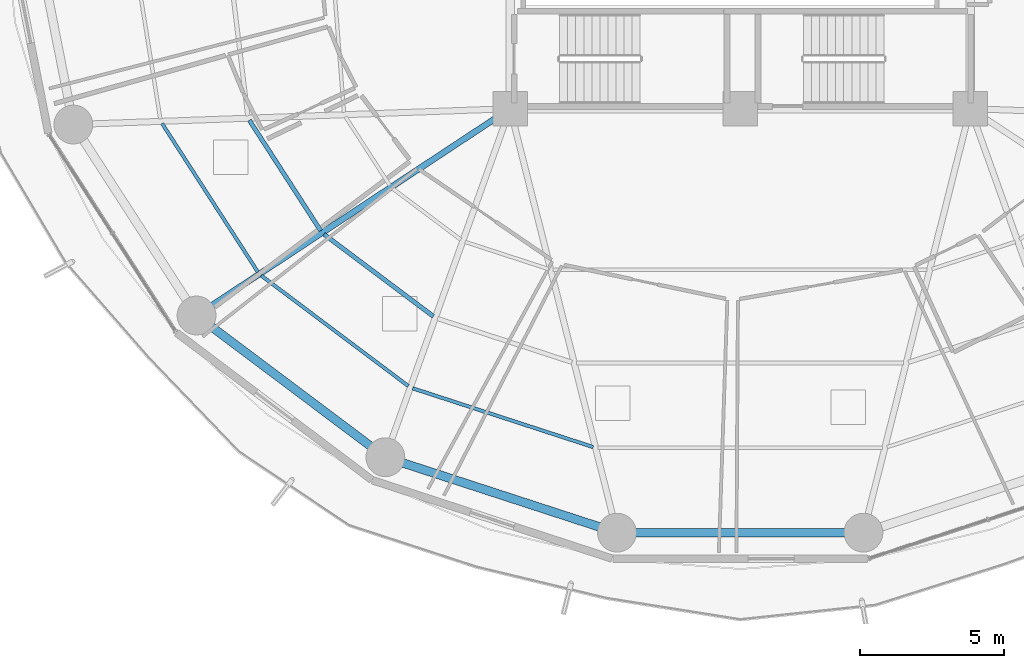
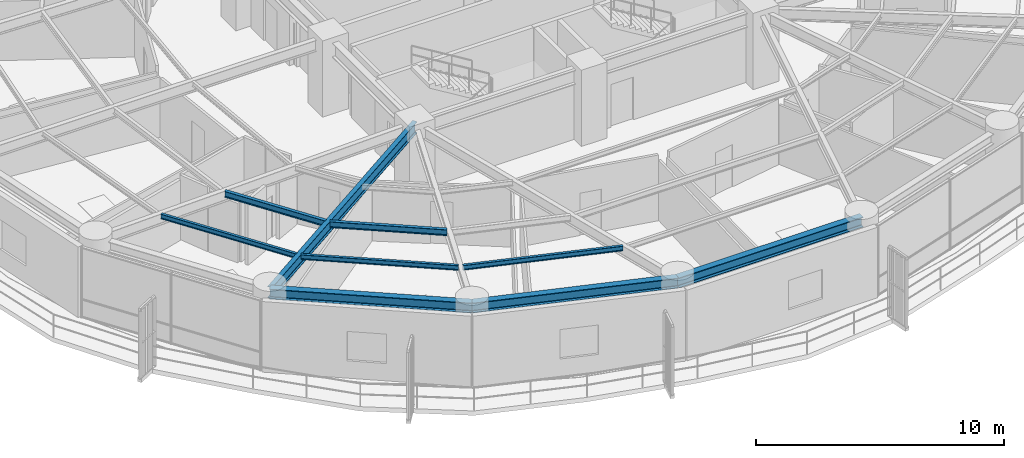
# One storey, part 3 of 36: 9 beams.
"""IFC4 building model written with IfcOpenShell, lengths in metres."""

import ifcopenshell
import ifcopenshell.guid

model = None  # the IFC model being written
_history = None  # IfcOwnerHistory: only IFC2X3 demands one
_inside = {}  # id of a spatial element -> (the spatial element, [elements in it])
_under = {}  # id of a project, library or spatial element -> (it, [spatial elements below it])
_declared = {}  # id of a project -> (the project, [libraries it declares])
_typed = {}  # id of a type object -> (the type object, [elements of that type])
_made_of = {}  # id of a material, layer set ... -> (it, [elements and type objects made of it])


def new_model(schema):
    """Start an empty IFC model of exactly this schema.

    Asked for "IFC4X3", IfcOpenShell would pick the latest addendum, in which some entities
    have other attributes; the version numbers below select the first issue.
    IFC2X3 requires an IfcOwnerHistory on every rooted entity: one is made here for all.
    """
    global model, _history
    if schema == "IFC4X3":
        model = ifcopenshell.file(schema_version=(4, 3, 0, 0))
    else:
        model = ifcopenshell.file(schema=schema)
    _inside.clear()
    _under.clear()
    _declared.clear()
    _typed.clear()
    _made_of.clear()
    _history = None
    if model.schema == "IFC2X3":
        org = make("IfcOrganization", Name="unknown")
        user = make(
            "IfcPersonAndOrganization",
            ThePerson=make("IfcPerson", FamilyName="unknown"),
            TheOrganization=org,
        )
        app = make(
            "IfcApplication",
            ApplicationDeveloper=org,
            Version="unknown",
            ApplicationFullName="unknown",
            ApplicationIdentifier="unknown",
        )
        _history = make(
            "IfcOwnerHistory",
            OwningUser=user,
            OwningApplication=app,
            ChangeAction="ADDED",
            CreationDate=0,
        )
    return model


def make(cls, **values):
    """One entity of the class cls with the attributes given. An attribute that is None is left unset."""
    return model.create_entity(
        cls, **{name: value for name, value in values.items() if value is not None}
    )


def rooted(cls, **values):
    """An entity with a GlobalId (a new one), such as an element, a storey or a relation."""
    return make(cls, GlobalId=ifcopenshell.guid.new(), OwnerHistory=_history, **values)


def si_unit(unit_type, name, prefix=None):
    """IfcSIUnit, for example si_unit("LENGTHUNIT", "METRE", prefix="MILLI")."""
    return make("IfcSIUnit", UnitType=unit_type, Prefix=prefix, Name=name)


def assignment(units):
    """IfcUnitAssignment: the units of a project."""
    return None if units is None else make("IfcUnitAssignment", Units=units)


def point(xyz):
    """IfcCartesianPoint."""
    return None if xyz is None else make("IfcCartesianPoint", Coordinates=xyz)


def direction(xyz):
    """IfcDirection."""
    return None if xyz is None else make("IfcDirection", DirectionRatios=xyz)


def frame(location, z_axis=None, x_axis=None):
    """IfcAxis2Placement3D, a coordinate frame: its origin and axes. An axis left out is left unset."""
    return make(
        "IfcAxis2Placement3D",
        Location=point(location),
        Axis=direction(z_axis),
        RefDirection=direction(x_axis),
    )


def frame_2d(location, x_axis=None):
    """IfcAxis2Placement2D, a coordinate frame in the plane: its origin and x axis."""
    return make(
        "IfcAxis2Placement2D", Location=point(location), RefDirection=direction(x_axis)
    )


def origin():
    """The frame at (0, 0, 0) with its axes left unset."""
    return frame((0.0, 0.0, 0.0))


def origin_2d():
    """The frame at (0, 0) in the plane with its x axis left unset."""
    return frame_2d((0.0, 0.0))


def place(relative_to, where):
    """IfcLocalPlacement: puts the frame where relative to a parent placement (None: the world)."""
    return make(
        "IfcLocalPlacement", PlacementRelTo=relative_to, RelativePlacement=where
    )


def context(
    kind, dimensions, precision=None, world=None, true_north=None, identifier=None
):
    """IfcGeometricRepresentationContext, for example the 3D "Model" context."""
    return make(
        "IfcGeometricRepresentationContext",
        ContextIdentifier=identifier,
        ContextType=kind,
        CoordinateSpaceDimension=dimensions,
        Precision=precision,
        WorldCoordinateSystem=world,
        TrueNorth=true_north,
    )


def subcontext(parent, identifier, kind, view, scale=None):
    """IfcGeometricRepresentationSubContext, for example "Body" below "Model"."""
    return make(
        "IfcGeometricRepresentationSubContext",
        ContextIdentifier=identifier,
        ContextType=kind,
        ParentContext=parent,
        TargetScale=scale,
        TargetView=view,
    )


def project(units=None, contexts=None):
    """IfcProject with its units and contexts."""
    return rooted(
        "IfcProject",
        Name="project",
        RepresentationContexts=contexts,
        UnitsInContext=assignment(units),
    )


def spatial(cls, under=None, at=None, **own):
    """A site, building, storey or space (cls), placed at a placement, below another one or the project."""
    s = rooted(cls, ObjectPlacement=at, **own)
    if under is not None:
        _under.setdefault(under.id(), (under, []))[1].append(s)
    return s


def profile(cls, at=None, kind="AREA", **sizes):
    """A parametric profile (cls). Its sizes go by their IFC names, for example OverallWidth=200.0."""
    return make(cls, ProfileType=kind, Position=at, **sizes)


def i_section(**sizes):
    """IfcIShapeProfileDef."""
    return profile("IfcIShapeProfileDef", **sizes)


def extrude(swept, where, along, depth):
    """IfcExtrudedAreaSolid: the profile swept, set in the frame where, extruded along a direction by depth."""
    return make(
        "IfcExtrudedAreaSolid",
        SweptArea=swept,
        Position=where,
        ExtrudedDirection=direction(along),
        Depth=depth,
    )


def shape(context_of_items, identifier, shape_type, items):
    """IfcShapeRepresentation: the items that make up one representation, for example the "Body"."""
    return make(
        "IfcShapeRepresentation",
        ContextOfItems=context_of_items,
        RepresentationIdentifier=identifier,
        RepresentationType=shape_type,
        Items=items,
    )


def material(Name=None, Category=None):
    """IfcMaterial."""
    return make("IfcMaterial", Name=Name, Category=Category)


def material_profile(
    of_material, cross_section, Name=None, Category=None, Priority=None
):
    """IfcMaterialProfile: a cross section and its material."""
    return make(
        "IfcMaterialProfile",
        Name=Name,
        Material=of_material,
        Profile=cross_section,
        Priority=Priority,
        Category=Category,
    )


def profile_set(profiles, Name=None, composite=None):
    """IfcMaterialProfileSet."""
    return make(
        "IfcMaterialProfileSet",
        Name=Name,
        MaterialProfiles=profiles,
        CompositeProfile=composite,
    )


def made_of(thing, what):
    """Note that an element or type object is made of a material, layer set ...; save() writes the relation."""
    if what is not None:
        _made_of.setdefault(what.id(), (what, []))[1].append(thing)
    return thing


def type_object(cls, material=None, **own):
    """A type object (cls), such as IfcWallType, which elements share."""
    return made_of(rooted(cls, **own), material)


def element(
    cls,
    number,
    at=None,
    inside=None,
    cuts=None,
    type_object=None,
    material=None,
    context=None,
    identifier="Body",
    shape_type=None,
    held_by="IfcProductDefinitionShape",
    body=None,
    shapes=None,
    **own,
):
    """One element of the class cls, such as IfcWall. Its Tag is "e" and its number.

    at: its placement. inside: the storey or other place that contains it. cuts: it is an
    opening in that element (IfcRelVoidsElement). A single representation is given by context,
    identifier, shape_type and body (its items); several are given by shapes. held_by: the class
    of the entity that holds the representations. save() writes the other relations.
    """
    e = rooted(cls, Tag="e%d" % number, ObjectPlacement=at, **own)
    if body is not None:
        shapes = [shape(context, identifier, shape_type, body)]
    if shapes is not None:
        e.Representation = make(held_by, Representations=shapes)
    if inside is not None:
        _inside.setdefault(inside.id(), (inside, []))[1].append(e)
    if cuts is not None:
        rooted(
            "IfcRelVoidsElement", RelatingBuildingElement=cuts, RelatedOpeningElement=e
        )
    if type_object is not None:
        _typed.setdefault(type_object.id(), (type_object, []))[1].append(e)
    return made_of(e, material)


def aggregate(whole, parts):
    """IfcRelAggregates: a whole, such as a stair, and the parts it consists of."""
    return rooted("IfcRelAggregates", RelatingObject=whole, RelatedObjects=parts)


def save(model, path):
    """Write the relations noted so far, then the file.

    IfcRelAggregates (storeys below a building ...), IfcRelContainedInSpatialStructure (elements
    in a storey), IfcRelDefinesByType, IfcRelAssociatesMaterial and IfcRelDeclares: one each for
    every whole, place, type object, material and project.
    """
    for whole, parts in _under.values():
        aggregate(whole, parts)
    for where, things in _inside.values():
        rooted(
            "IfcRelContainedInSpatialStructure",
            RelatedElements=things,
            RelatingStructure=where,
        )
    for kind, things in _typed.values():
        rooted("IfcRelDefinesByType", RelatedObjects=things, RelatingType=kind)
    for what, things in _made_of.values():
        rooted("IfcRelAssociatesMaterial", RelatedObjects=things, RelatingMaterial=what)
    for by, libraries in _declared.values():
        rooted("IfcRelDeclares", RelatingContext=by, RelatedDefinitions=libraries)
    model.write(path)


model = new_model("IFC4")

# Units and contexts
model_context = context("Model", 3, precision=1e-05, world=origin(), true_north=direction((0.0, 1.0)))
body_context = subcontext(model_context, "Body", "Model", "MODEL_VIEW")
ifc_project = project(units=[si_unit("LENGTHUNIT", "METRE"), si_unit("AREAUNIT", "SQUARE_METRE"), si_unit("VOLUMEUNIT", "CUBIC_METRE"), si_unit("PLANEANGLEUNIT", "RADIAN"), si_unit("MASSUNIT", "GRAM", prefix="KILO")], contexts=[model_context])

# Site, building, storey
site_placement = place(None, origin())
site = spatial("IfcSite", under=ifc_project, at=site_placement, CompositionType="ELEMENT")
building_placement = place(site_placement, origin())
building = spatial("IfcBuilding", under=site, at=building_placement, Name="Kelanora Arch Commons", CompositionType="ELEMENT")
storey_placement = place(building_placement, frame((0.0, 0.0, 102.60009765625)))
storey = spatial("IfcBuildingStorey", under=building, at=storey_placement, Name="L26", CompositionType="ELEMENT", Elevation=102.60009765625)

# Beams
ifc_material = material(Name="Steel S355", Category="steel")
ifc_material_profile_1 = material_profile(ifc_material, i_section(OverallWidth=0.14990234375, OverallDepth=0.300048828125, WebThickness=0.007080078125, FlangeThickness=0.0107421875, FilletRadius=0.014892578125, at=origin_2d()), Name="IPE300")
ifc_profile_set_1 = profile_set([ifc_material_profile_1], Name="Steel S355")
beam_type_1 = type_object("IfcBeamType", Name="BM-JST-01", PredefinedType="JOIST", material=ifc_profile_set_1)
beam_1_placement = place(storey_placement, frame((56.93115234375, 50.597412109375, 3.33984375), z_axis=(0.542230243286, -0.840229946661, 0.0), x_axis=(0.840229946661, 0.542230243286, 0.0)))
element("IfcBeam", 1, at=beam_1_placement, inside=storey, type_object=beam_type_1, Name="Secondary Chord Joist BJB-20 L26", PredefinedType="JOIST", context=body_context, shape_type="SweptSolid", body=[
    extrude(i_section(OverallWidth=0.14990234375, OverallDepth=0.300048828125, WebThickness=0.007080078125, FlangeThickness=0.0107421875, FilletRadius=0.014892578125, at=origin_2d()), origin(), (0.0, 0.0, 1.0), 4.572265625),
])
beam_2_placement = place(storey_placement, frame((59.5244140625, 46.63330078125, 3.33984375), z_axis=(0.79971039107, -0.600385951214, 0.0), x_axis=(0.600385951214, 0.79971039107, 0.0)))
element("IfcBeam", 2, at=beam_2_placement, inside=storey, type_object=beam_type_1, Name="Secondary Chord Joist BJB-22 L26", PredefinedType="JOIST", context=body_context, shape_type="SweptSolid", body=[
    extrude(i_section(OverallWidth=0.14990234375, OverallDepth=0.300048828125, WebThickness=0.007080078125, FlangeThickness=0.0107421875, FilletRadius=0.014892578125, at=origin_2d()), origin(), (0.0, 0.0, 1.0), 4.756103515625),
])
ifc_material_profile_2 = material_profile(ifc_material, i_section(OverallWidth=0.1201171875, OverallDepth=0.239990234375, WebThickness=0.006103515625, FlangeThickness=0.009765625, FilletRadius=0.014892578125, at=origin_2d()), Name="IPE240")
ifc_profile_set_2 = profile_set([ifc_material_profile_2], Name="Steel S355")
beam_type_2 = type_object("IfcBeamType", Name="BM-JST-02", PredefinedType="JOIST", material=ifc_profile_set_2)
beam_3_placement = place(storey_placement, frame((53.892822265625, 50.487060546875, 3.369873046875), z_axis=(0.542212726273, -0.840241250754, 0.0), x_axis=(0.840241250754, 0.542212726273, 0.0)))
element("IfcBeam", 3, at=beam_3_placement, inside=storey, type_object=beam_type_2, Name="Secondary Chord Joist BJC-20 L26", PredefinedType="JOIST", context=body_context, shape_type="SweptSolid", body=[
    extrude(i_section(OverallWidth=0.1201171875, OverallDepth=0.239990234375, WebThickness=0.006103515625, FlangeThickness=0.009765625, FilletRadius=0.014892578125, at=origin_2d()), origin(), (0.0, 0.0, 1.0), 6.15283203125),
])
beam_4_placement = place(storey_placement, frame((57.34326171875, 45.194580078125, 3.369873046875), z_axis=(0.799734335646, -0.600354055861, 0.0), x_axis=(0.600354055861, 0.799734335646, 0.0)))
element("IfcBeam", 4, at=beam_4_placement, inside=storey, type_object=beam_type_2, Name="Secondary Chord Joist BJC-22 L26", PredefinedType="JOIST", context=body_context, shape_type="SweptSolid", body=[
    extrude(i_section(OverallWidth=0.1201171875, OverallDepth=0.239990234375, WebThickness=0.006103515625, FlangeThickness=0.009765625, FilletRadius=0.014892578125, at=origin_2d()), origin(), (0.0, 0.0, 1.0), 6.39794921875),
])
beam_5_placement = place(storey_placement, frame((62.60888671875, 41.276123046875, 3.369873046875), z_axis=(0.950862829272, -0.309612467301, 0.0), x_axis=(0.309612467301, 0.950862829272, 0.0)))
element("IfcBeam", 5, at=beam_5_placement, inside=storey, type_object=beam_type_2, Name="Secondary Chord Joist BJC-24 L26", PredefinedType="JOIST", context=body_context, shape_type="SweptSolid", body=[
    extrude(i_section(OverallWidth=0.1201171875, OverallDepth=0.239990234375, WebThickness=0.006103515625, FlangeThickness=0.009765625, FilletRadius=0.014892578125, at=origin_2d()), origin(), (0.0, 0.0, 1.0), 6.6064453125),
])
ifc_material_profile_3 = material_profile(ifc_material, i_section(OverallWidth=0.2099609375, OverallDepth=0.550048828125, WebThickness=0.010986328125, FlangeThickness=0.01708984375, FilletRadius=0.02392578125, at=origin_2d()), Name="IPE550")
ifc_profile_set_3 = profile_set([ifc_material_profile_3], Name="Steel S355")
beam_type_3 = type_object("IfcBeamType", Name="BM-RAD-Z2", PredefinedType="BEAM", material=ifc_profile_set_3)
beam_6_placement = place(storey_placement, frame((66.0, 51.0, 3.21484375), z_axis=(-0.834788577908, -0.550570640512, 0.0), x_axis=(0.550570640512, -0.834788577908, 0.0)))
element("IfcBeam", 6, at=beam_6_placement, inside=storey, type_object=beam_type_3, Name="Radial Floor Girder BR-22 L26", PredefinedType="BEAM", context=body_context, shape_type="SweptSolid", body=[
    extrude(i_section(OverallWidth=0.2099609375, OverallDepth=0.550048828125, WebThickness=0.010986328125, FlangeThickness=0.01708984375, FilletRadius=0.02392578125, at=origin_2d()), origin(), (0.0, 0.0, 1.0), 13.064453125),
])
ifc_material_profile_4 = material_profile(ifc_material, i_section(OverallWidth=0.300048828125, OverallDepth=0.5, WebThickness=0.014404296875, FlangeThickness=0.028076171875, FilletRadius=0.027099609375, at=origin_2d()), Name="HEB500")
ifc_profile_set_4 = profile_set([ifc_material_profile_4], Name="Steel S355")
beam_type_4 = type_object("IfcBeamType", Name="BM-SPN-Z2", PredefinedType="SPANDREL", material=ifc_profile_set_4)
beam_7_placement = place(storey_placement, frame((55.093994140625, 43.80712890625, 3.239990234375), z_axis=(0.799735861602, -0.600352023123, 0.0), x_axis=(0.600352023123, 0.799735861602, 0.0)))
element("IfcBeam", 7, at=beam_7_placement, inside=storey, type_object=beam_type_4, Name="Perimeter Spandrel Beam BS-22 L26", PredefinedType="SPANDREL", context=body_context, shape_type="SweptSolid", body=[
    extrude(i_section(OverallWidth=0.300048828125, OverallDepth=0.5, WebThickness=0.014404296875, FlangeThickness=0.028076171875, FilletRadius=0.027099609375, at=origin_2d()), origin(), (0.0, 0.0, 1.0), 8.210205078125),
])
beam_8_placement = place(storey_placement, frame((61.659912109375, 38.878173828125, 3.239990234375), z_axis=(0.950856631974, -0.309631499418, 0.0), x_axis=(0.309631499418, 0.950856631974, 0.0)))
element("IfcBeam", 8, at=beam_8_placement, inside=storey, type_object=beam_type_4, Name="Perimeter Spandrel Beam BS-24 L26", PredefinedType="SPANDREL", context=body_context, shape_type="SweptSolid", body=[
    extrude(i_section(OverallWidth=0.300048828125, OverallDepth=0.5, WebThickness=0.014404296875, FlangeThickness=0.028076171875, FilletRadius=0.027099609375, at=origin_2d()), origin(), (0.0, 0.0, 1.0), 8.470703125),
])
beam_9_placement = place(storey_placement, frame((69.71435546875, 36.25537109375, 3.239990234375), z_axis=(1.0, 0.0, 0.0), x_axis=(0.0, 1.0, 0.0)))
element("IfcBeam", 9, at=beam_9_placement, inside=storey, type_object=beam_type_4, Name="Perimeter Spandrel Beam BS-26 L26", PredefinedType="SPANDREL", context=body_context, shape_type="SweptSolid", body=[
    extrude(i_section(OverallWidth=0.300048828125, OverallDepth=0.5, WebThickness=0.014404296875, FlangeThickness=0.028076171875, FilletRadius=0.027099609375, at=origin_2d()), origin(), (0.0, 0.0, 1.0), 8.5712890625),
])

save(model, "model.ifc")
